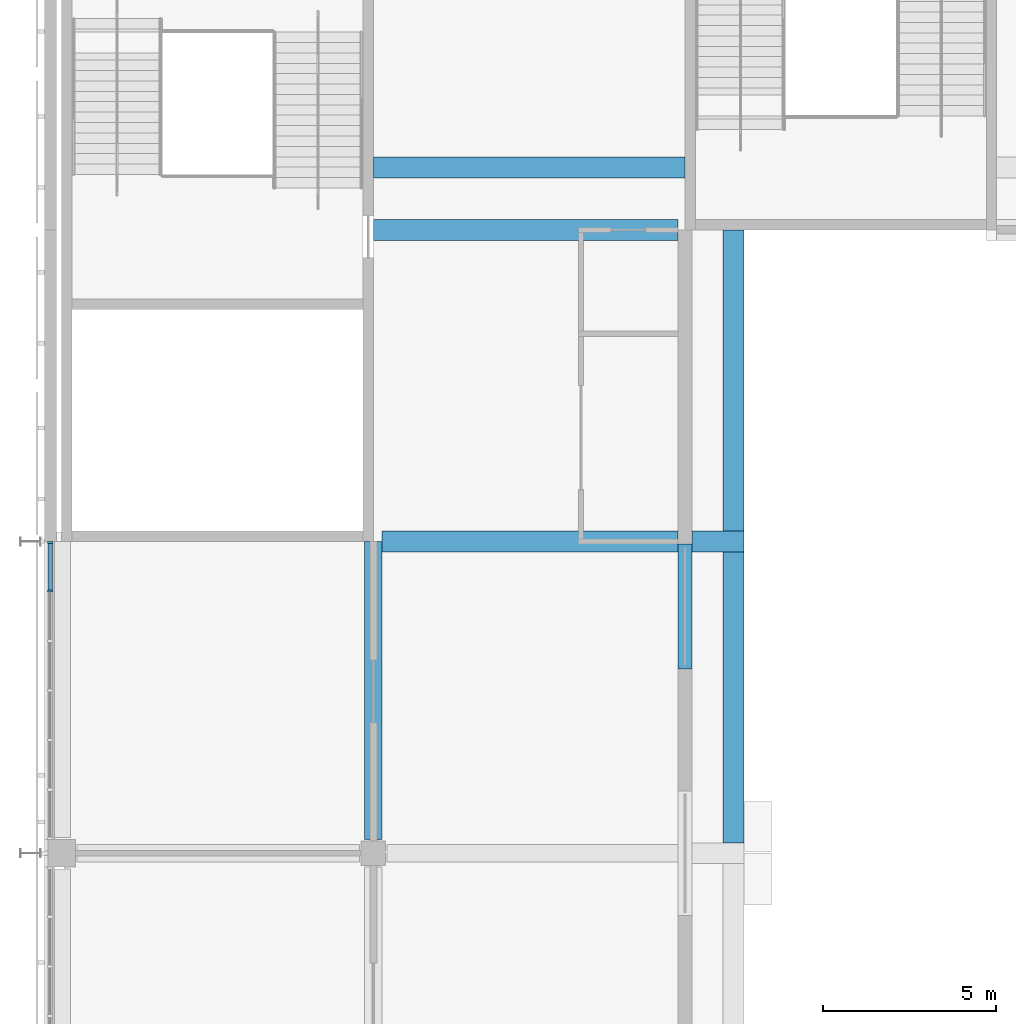
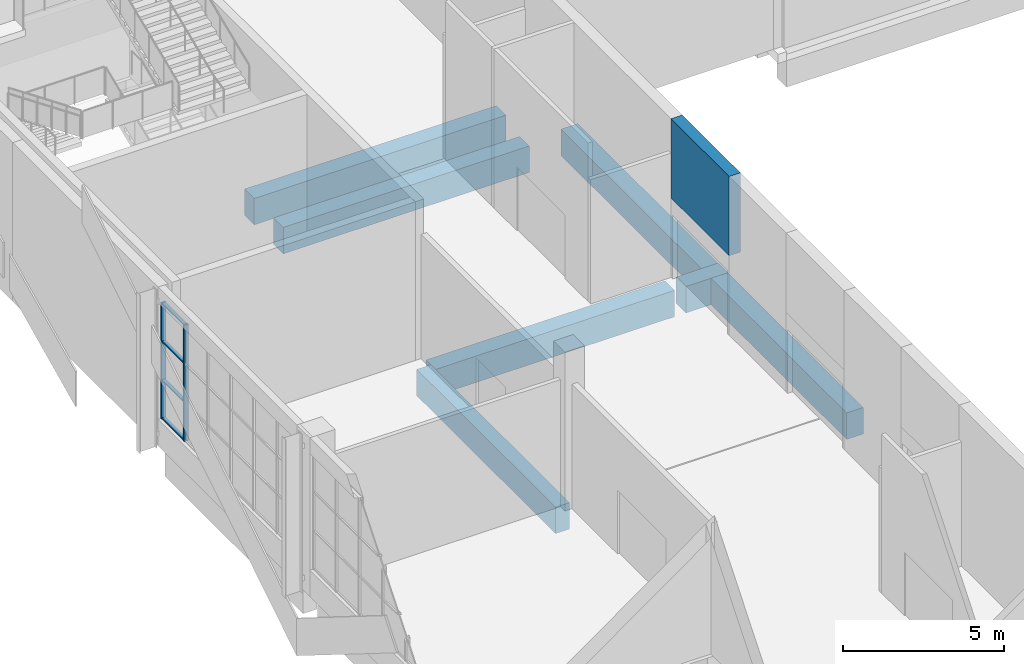
# One storey, part 15 of 89: 8 beams, 6 members, 1 element without a shape of its own.
"""IFC4 building model written with IfcOpenShell, lengths in metres."""

from ifc_helpers import new_model, si_unit, direction, frame, origin, origin_2d, place, context, subcontext, project, spatial, rectangle, extrude, material, material_profile, profile_set, type_object, element, aggregate, save


model = new_model("IFC4")

# Units and contexts
model_context = context("Model", 3, precision=1e-05, world=origin(), true_north=direction((0.0, 1.0)))
body_context = subcontext(model_context, "Body", "Model", "MODEL_VIEW")
ifc_project = project(units=[si_unit("LENGTHUNIT", "METRE"), si_unit("AREAUNIT", "SQUARE_METRE"), si_unit("VOLUMEUNIT", "CUBIC_METRE"), si_unit("PLANEANGLEUNIT", "RADIAN"), si_unit("MASSUNIT", "GRAM", prefix="KILO")], contexts=[model_context])

# Site, building, storey
site_placement = place(None, origin())
site = spatial("IfcSite", under=ifc_project, at=site_placement, CompositionType="ELEMENT")
building_placement = place(site_placement, origin())
building = spatial("IfcBuilding", under=site, at=building_placement, Name="Silverbay Arena", CompositionType="ELEMENT")
storey_placement = place(building_placement, frame((0.0, 0.0, 22.0)))
storey = spatial("IfcBuildingStorey", under=building, at=storey_placement, Name="L03", CompositionType="ELEMENT", Elevation=22.0)

# Curtain wall, members
ifc_material_1 = material(Name="Aluminium framed curtain wall", Category="aluminium")
curtain_wall_type = type_object("IfcCurtainWallType", Name="Curtain wall 8600 x 4400", PredefinedType="NOTDEFINED", material=ifc_material_1)
curtain_wall_placement = place(storey_placement, origin())
curtain_wall = element("IfcCurtainWall", 1, at=curtain_wall_placement, inside=storey, type_object=curtain_wall_type, Name="West curtain wall L03 bay 8", PredefinedType="NOTDEFINED")
ifc_material_2 = material(Name="Aluminium", Category="aluminium")
ifc_material_profile_1 = material_profile(ifc_material_2, rectangle(XDim=0.159912109375, YDim=0.06005859375, at=origin_2d()), Name="Mullion 60 x 160")
ifc_profile_set_1 = profile_set([ifc_material_profile_1], Name="Aluminium")
member_type_1 = type_object("IfcMemberType", Name="Mullion 60 x 160", PredefinedType="MULLION", material=ifc_profile_set_1)
member_1_placement = place(storey_placement, frame((53.669921875, 89.969970703125, 1.0), z_axis=(0.0, 0.0, 1.0), x_axis=(1.0, 0.0, 0.0)))
member_1 = element("IfcMember", 2, at=member_1_placement, type_object=member_type_1, Name="CW12 mullion 1", PredefinedType="MULLION", context=body_context, shape_type="SweptSolid", body=[
    extrude(rectangle(XDim=0.159912109375, YDim=0.06005859375, at=origin_2d()), origin(), (0.0, 0.0, 1.0), 4.39990234375),
])
member_2_placement = place(storey_placement, frame((53.669921875, 88.566650390625, 1.0), z_axis=(0.0, 0.0, 1.0), x_axis=(1.0, 0.0, 0.0)))
member_2 = element("IfcMember", 3, at=member_2_placement, type_object=member_type_1, Name="CW12 mullion 2", PredefinedType="MULLION", context=body_context, shape_type="SweptSolid", body=[
    extrude(rectangle(XDim=0.159912109375, YDim=0.06005859375, at=origin_2d()), origin(), (0.0, 0.0, 1.0), 4.39990234375),
])

# Beams
ifc_material_3 = material(Name="Concrete Grade C45", Category="concrete")
ifc_material_profile_2 = material_profile(ifc_material_3, rectangle(XDim=0.5, YDim=1.0, at=origin_2d()), Name="RC 500x1000")
ifc_profile_set_2 = profile_set([ifc_material_profile_2], Name="Concrete Grade C45")
beam_type_1 = type_object("IfcBeamType", Name="RC beam 500x1000", PredefinedType="BEAM", material=ifc_profile_set_2)
beam_1_placement = place(storey_placement, frame((63.0, 81.39990234375, -0.85009765625), z_axis=(0.0, 1.0, 0.0), x_axis=(-1.0, 0.0, 0.0)))
element("IfcBeam", 4, at=beam_1_placement, inside=storey, type_object=beam_type_1, Name="Floor beam L03 095", PredefinedType="BEAM", context=body_context, shape_type="SweptSolid", body=[
    extrude(rectangle(XDim=0.5, YDim=1.0, at=origin_2d()), origin(), (0.0, 0.0, 1.0), 8.60009765625),
])
ifc_material_4 = material(Name="Concrete Grade C45", Category="concrete")
ifc_material_profile_3 = material_profile(ifc_material_4, rectangle(XDim=0.60009765625, YDim=1.0, at=origin_2d()), Name="RC 600x1000")
ifc_profile_set_3 = profile_set([ifc_material_profile_3], Name="Concrete Grade C45")
beam_type_2 = type_object("IfcBeamType", Name="RC beam 600x1000", PredefinedType="BEAM", material=ifc_profile_set_3)
beam_2_placement = place(storey_placement, frame((63.25, 90.0, -0.85009765625), z_axis=(1.0, 0.0, 0.0), x_axis=(0.0, 1.0, 0.0)))
element("IfcBeam", 5, at=beam_2_placement, inside=storey, type_object=beam_type_2, Name="Floor beam L03 045", PredefinedType="BEAM", context=body_context, shape_type="SweptSolid", body=[
    extrude(rectangle(XDim=0.60009765625, YDim=1.0, at=origin_2d()), origin(), (0.0, 0.0, 1.0), 8.550048828125),
])
beam_3_placement = place(storey_placement, frame((72.199951171875, 90.0, -0.85009765625), z_axis=(1.0, 0.0, 0.0), x_axis=(0.0, 1.0, 0.0)))
element("IfcBeam", 6, at=beam_3_placement, inside=storey, type_object=beam_type_2, Name="Floor beam L03 046", PredefinedType="BEAM", context=body_context, shape_type="SweptSolid", body=[
    extrude(rectangle(XDim=0.60009765625, YDim=1.0, at=origin_2d()), origin(), (0.0, 0.0, 1.0), 1.5),
])
beam_4_placement = place(storey_placement, frame((63.0, 99.0, -0.85009765625), z_axis=(1.0, 0.0, 0.0), x_axis=(0.0, 1.0, 0.0)))
element("IfcBeam", 7, at=beam_4_placement, inside=storey, type_object=beam_type_2, Name="Floor beam L03 049", PredefinedType="BEAM", context=body_context, shape_type="SweptSolid", body=[
    extrude(rectangle(XDim=0.60009765625, YDim=1.0, at=origin_2d()), origin(), (0.0, 0.0, 1.0), 8.800048828125),
])
beam_5_placement = place(storey_placement, frame((63.0, 100.800048828125, -0.85009765625), z_axis=(1.0, 0.0, 0.0), x_axis=(0.0, 1.0, 0.0)))
element("IfcBeam", 8, at=beam_5_placement, inside=storey, type_object=beam_type_2, Name="Floor beam L03 053", PredefinedType="BEAM", context=body_context, shape_type="SweptSolid", body=[
    extrude(rectangle(XDim=0.60009765625, YDim=1.0, at=origin_2d()), origin(), (0.0, 0.0, 1.0), 9.0),
])
beam_6_placement = place(storey_placement, frame((73.39990234375, 81.300048828125, -0.85009765625), z_axis=(0.0, 1.0, 0.0), x_axis=(-1.0, 0.0, 0.0)))
element("IfcBeam", 9, at=beam_6_placement, inside=storey, type_object=beam_type_2, Name="Floor beam L03 195", PredefinedType="BEAM", context=body_context, shape_type="SweptSolid", body=[
    extrude(rectangle(XDim=0.60009765625, YDim=1.0, at=origin_2d()), origin(), (0.0, 0.0, 1.0), 8.39990234375),
])
beam_7_placement = place(storey_placement, frame((73.39990234375, 90.300048828125, -0.85009765625), z_axis=(0.0, 1.0, 0.0), x_axis=(-1.0, 0.0, 0.0)))
element("IfcBeam", 10, at=beam_7_placement, inside=storey, type_object=beam_type_2, Name="Floor beam L03 196", PredefinedType="BEAM", context=body_context, shape_type="SweptSolid", body=[
    extrude(rectangle(XDim=0.60009765625, YDim=1.0, at=origin_2d()), origin(), (0.0, 0.0, 1.0), 8.699951171875),
])
ifc_material_5 = material(Name="Concrete Grade C45", Category="concrete")
ifc_material_profile_4 = material_profile(ifc_material_5, rectangle(XDim=0.39990234375, YDim=3.0, at=origin_2d()), Name="RC 400x3000")
ifc_profile_set_4 = profile_set([ifc_material_profile_4], Name="Concrete Grade C45")
beam_type_3 = type_object("IfcBeamType", Name="RC lintel 400x3000", PredefinedType="BEAM", material=ifc_profile_set_4)
beam_8_placement = place(storey_placement, frame((72.0, 86.324951171875, 4.5), z_axis=(0.0, 1.0, 0.0), x_axis=(-1.0, 0.0, 0.0)))
element("IfcBeam", 11, at=beam_8_placement, inside=storey, type_object=beam_type_3, Name="Lintel over portal L03-W881", PredefinedType="BEAM", context=body_context, shape_type="SweptSolid", body=[
    extrude(rectangle(XDim=0.39990234375, YDim=3.0, at=origin_2d()), origin(), (0.0, 0.0, 1.0), 3.60009765625),
])

# Member
ifc_material_6 = material(Name="Aluminium", Category="aluminium")
ifc_material_profile_5 = material_profile(ifc_material_6, rectangle(XDim=0.1201171875, YDim=0.050048828125, at=origin_2d()), Name="Transom 50 x 120")
ifc_profile_set_5 = profile_set([ifc_material_profile_5], Name="Aluminium")
member_type_2 = type_object("IfcMemberType", Name="Transom 50 x 120", PredefinedType="USERDEFINED", material=ifc_profile_set_5)
member_3_placement = place(storey_placement, frame((53.669921875, 89.93994140625, 1.02490234375), z_axis=(0.0, -1.0, 0.0), x_axis=(1.0, 0.0, 0.0)))
member_3 = element("IfcMember", 12, at=member_3_placement, type_object=member_type_2, Name="CW12 transom 1.1", ObjectType="TRANSOM", PredefinedType="USERDEFINED", context=body_context, shape_type="SweptSolid", body=[
    extrude(rectangle(XDim=0.1201171875, YDim=0.050048828125, at=origin_2d()), origin(), (0.0, 0.0, 1.0), 1.34326171875),
])

member_4_placement = place(storey_placement, frame((53.669921875, 89.93994140625, 2.466552734375), z_axis=(0.0, -1.0, 0.0), x_axis=(1.0, 0.0, 0.0)))
member_4 = element("IfcMember", 13, at=member_4_placement, type_object=member_type_2, Name="CW12 transom 1.2", ObjectType="TRANSOM", PredefinedType="USERDEFINED", context=body_context, shape_type="SweptSolid", body=[
    extrude(rectangle(XDim=0.1201171875, YDim=0.050048828125, at=origin_2d()), origin(), (0.0, 0.0, 1.0), 1.34326171875),
])

member_5_placement = place(storey_placement, frame((53.669921875, 89.93994140625, 3.933349609375), z_axis=(0.0, -1.0, 0.0), x_axis=(1.0, 0.0, 0.0)))
member_5 = element("IfcMember", 14, at=member_5_placement, type_object=member_type_2, Name="CW12 transom 1.3", ObjectType="TRANSOM", PredefinedType="USERDEFINED", context=body_context, shape_type="SweptSolid", body=[
    extrude(rectangle(XDim=0.1201171875, YDim=0.050048828125, at=origin_2d()), origin(), (0.0, 0.0, 1.0), 1.34326171875),
])

member_6_placement = place(storey_placement, frame((53.669921875, 89.93994140625, 5.375), z_axis=(0.0, -1.0, 0.0), x_axis=(1.0, 0.0, 0.0)))
member_6 = element("IfcMember", 15, at=member_6_placement, type_object=member_type_2, Name="CW12 transom 1.4", ObjectType="TRANSOM", PredefinedType="USERDEFINED", context=body_context, shape_type="SweptSolid", body=[
    extrude(rectangle(XDim=0.1201171875, YDim=0.050048828125, at=origin_2d()), origin(), (0.0, 0.0, 1.0), 1.34326171875),
])

aggregate(curtain_wall, [member_1, member_2, member_3, member_4, member_5, member_6])

save(model, "model.ifc")
